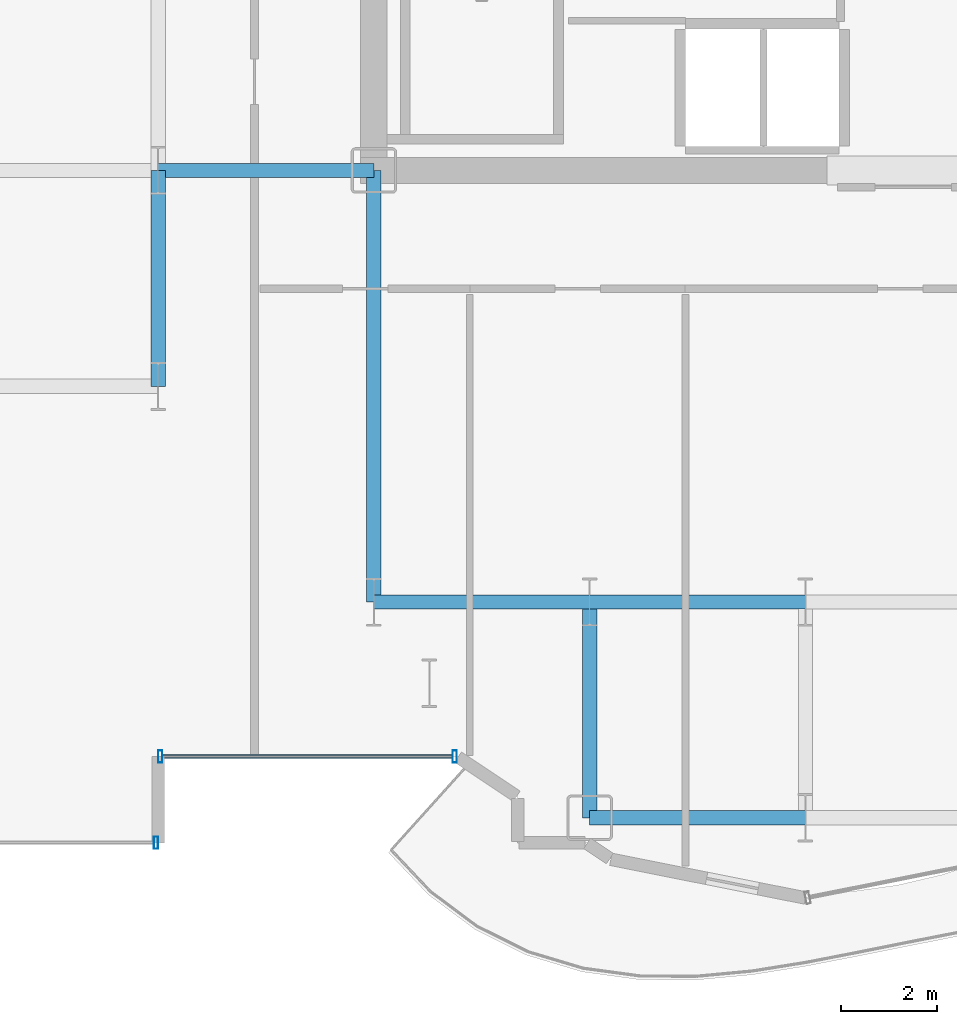
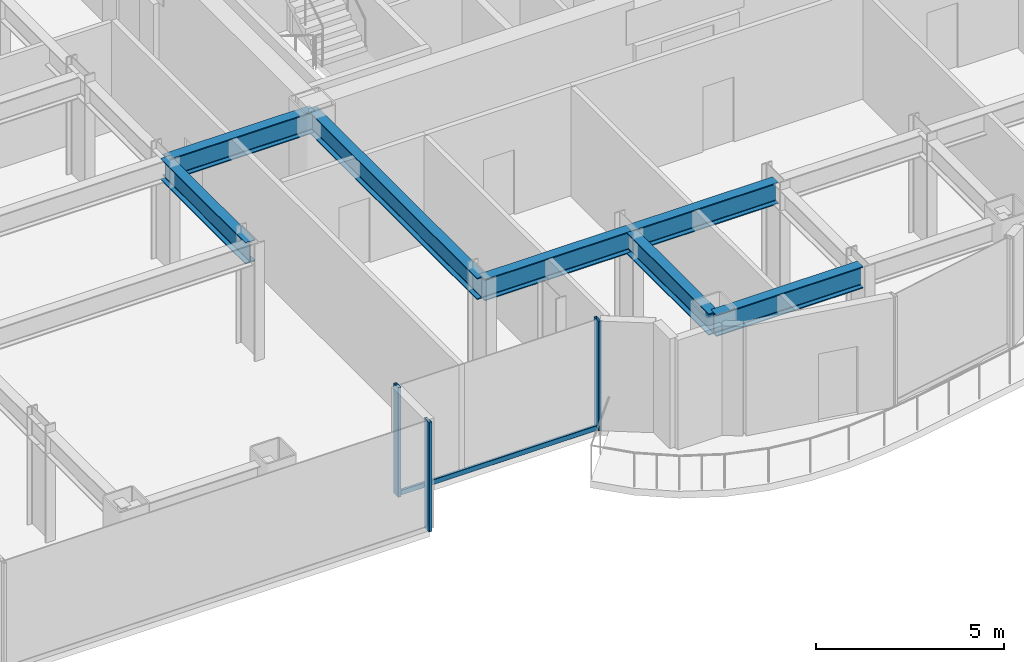
# One storey, part 4 of 28: 7 beams, 4 members, 2 elements without a shape of their own.
"""IFC4 building model written with IfcOpenShell, lengths in metres."""

from ifc_helpers import new_model, si_unit, direction, frame, origin, origin_2d, place, context, subcontext, project, spatial, hollow_rectangle, i_section, extrude, source, transform, mapped, material, layer, layer_set, material_profile, profile_set, type_object, element, aggregate, save


model = new_model("IFC4")

# Units and contexts
model_context = context("Model", 3, precision=1e-05, world=origin(), true_north=direction((0.0, 1.0)))
body_context = subcontext(model_context, "Body", "Model", "MODEL_VIEW")
ifc_project = project(units=[si_unit("LENGTHUNIT", "METRE"), si_unit("AREAUNIT", "SQUARE_METRE"), si_unit("VOLUMEUNIT", "CUBIC_METRE"), si_unit("PLANEANGLEUNIT", "RADIAN"), si_unit("MASSUNIT", "GRAM", prefix="KILO")], contexts=[model_context])

# Site, building, storey
site_placement = place(None, origin())
site = spatial("IfcSite", under=ifc_project, at=site_placement, CompositionType="ELEMENT")
building_placement = place(site_placement, origin())
building = spatial("IfcBuilding", under=site, at=building_placement, Name="Nefas-Gora Pilgrimage Tower", CompositionType="ELEMENT")
storey_placement = place(building_placement, frame((0.0, 0.0, 102.199951171875)))
storey = spatial("IfcBuildingStorey", under=building, at=storey_placement, Name="L24", CompositionType="ELEMENT", Elevation=102.199951171875)

# Beams
ifc_material_1 = material(Name="Steel S355", Category="steel")
ifc_material_profile_1 = material_profile(ifc_material_1, i_section(OverallWidth=0.300048828125, OverallDepth=0.699951171875, WebThickness=0.01708984375, FlangeThickness=0.031982421875, FilletRadius=0.027099609375, at=origin_2d()), Name="HEB 700")
ifc_profile_set_1 = profile_set([ifc_material_profile_1], Name="Steel S355")
beam_type = type_object("IfcBeamType", Name="BM-GIR-HEB700", PredefinedType="BEAM", material=ifc_profile_set_1)
shared_shape_1 = source(origin(), body_context, "Body", "SweptSolid", [
    extrude(i_section(OverallWidth=0.300048828125, OverallDepth=0.699951171875, WebThickness=0.01708984375, FlangeThickness=0.031982421875, FilletRadius=0.027099609375, at=origin_2d()), origin(), (0.0, 0.0, 1.0), 9.0),
])
beam_placement = place(storey_placement, frame((-11.25, -18.0, 3.199951171875), z_axis=(0.0, 1.0, 0.0), x_axis=(-1.0, 0.0, 0.0)))
element("IfcBeam", 1, at=beam_placement, inside=storey, type_object=beam_type, Name="L24 G-02 beam", PredefinedType="BEAM", context=body_context, shape_type="MappedRepresentation", body=[
    mapped(shared_shape_1, transform((0.0, 0.0, 0.0), x_axis=(1.0, 0.0, 0.0), y_axis=(0.0, 1.0, 0.0), z_axis=(0.0, 0.0, 1.0), scale=1.0)),
])
shared_shape_2 = source(origin(), body_context, "Body", "SweptSolid", [
    extrude(i_section(OverallWidth=0.300048828125, OverallDepth=0.699951171875, WebThickness=0.01708984375, FlangeThickness=0.031982421875, FilletRadius=0.027099609375, at=origin_2d()), origin(), (0.0, 0.0, 1.0), 4.5),
])
for number, where, z_axis, x_axis, name in (
    (2, (-15.75, -13.5, 3.199951171875), (0.0, 1.0, 0.0), (-1.0, 0.0, 0.0), "L24 G-02 beam"),
    (3, (-15.75, -9.0, 3.199951171875), (1.0, 0.0, 0.0), (0.0, 1.0, 0.0), "L24 G-02 beam"),
    (4, (-11.25, -18.0, 3.199951171875), (1.0, 0.0, 0.0), (0.0, 1.0, 0.0), "L24 G-02 beam"),
    (5, (-6.75, -22.5, 3.199951171875), (0.0, 1.0, 0.0), (-1.0, 0.0, 0.0), "L24 G-02 beam"),
    (6, (-6.75, -22.5, 3.199951171875), (1.0, 0.0, 0.0), (0.0, 1.0, 0.0), "L24 G-02 beam"),
    (7, (-6.75, -18.0, 3.199951171875), (1.0, 0.0, 0.0), (0.0, 1.0, 0.0), "L24 G-02 beam"),
):
    element("IfcBeam", number, at=place(storey_placement, frame(where, z_axis=z_axis, x_axis=x_axis)), inside=storey, type_object=beam_type, Name=name, PredefinedType="BEAM", context=body_context, shape_type="MappedRepresentation", body=[
        mapped(shared_shape_2, transform((0.0, 0.0, 0.0), x_axis=(1.0, 0.0, 0.0), y_axis=(0.0, 1.0, 0.0), z_axis=(0.0, 0.0, 1.0), scale=1.0)),
    ])

# Curtain wall, members
ifc_material_2 = material(Name="Dark ceramic-fritted solar-control aluminium-glass curtain wall", Category="aluminium")
ifc_layer_1 = layer(ifc_material_2, 0.219970703125)
ifc_layer_set_1 = layer_set([ifc_layer_1], Name="Dark ceramic-fritted solar-control aluminium-glass curtain wall")
curtain_wall_type_1 = type_object("IfcCurtainWallType", Name="CW-SYS-5", PredefinedType="NOTDEFINED", material=ifc_layer_set_1)
curtain_wall_1_placement = place(storey_placement, origin())
curtain_wall_1 = element("IfcCurtainWall", 8, at=curtain_wall_1_placement, inside=storey, type_object=curtain_wall_type_1, Name="L24 Unitised Curtain Wall CW5", PredefinedType="NOTDEFINED")
ifc_material_3 = material(Name="Anodised architectural aluminium", Category="aluminium")
ifc_material_profile_2 = material_profile(ifc_material_3, hollow_rectangle(XDim=0.090087890625, YDim=0.260009765625, WallThickness=0.006103515625, InnerFilletRadius=0.006103515625, OuterFilletRadius=0.011962890625, at=origin_2d()), Name="ALU MULLION 90x260")
ifc_profile_set_2 = profile_set([ifc_material_profile_2], Name="Anodised architectural aluminium")
member_type_1 = type_object("IfcMemberType", Name="CWM-MUL-5", PredefinedType="MULLION", material=ifc_profile_set_2)
shared_shape_3 = source(origin(), body_context, "Body", "SweptSolid", [
    extrude(hollow_rectangle(XDim=0.090087890625, YDim=0.260009765625, WallThickness=0.006103515625, InnerFilletRadius=0.006103515625, OuterFilletRadius=0.011962890625, at=origin_2d()), origin(), (0.0, 0.0, 1.0), 3.550048828125),
])
member_1_placement = place(storey_placement, frame((-15.705078125, -21.219970703125, 0.0), z_axis=(0.0, 0.0, 1.0), x_axis=(1.0, 0.0, 0.0)))
member_1 = element("IfcMember", 9, at=member_1_placement, type_object=member_type_1, Name="CW5 Mullion 1", PredefinedType="MULLION", context=body_context, shape_type="MappedRepresentation", body=[
    mapped(shared_shape_3, transform((0.0, 0.0, 0.0), x_axis=(1.0, 0.0, 0.0), y_axis=(0.0, 1.0, 0.0), z_axis=(0.0, 0.0, 1.0), scale=1.0)),
])
member_2_placement = place(storey_placement, frame((-9.56298828125, -21.219970703125, 0.0), z_axis=(0.0, 0.0, 1.0), x_axis=(1.0, 0.0, 0.0)))
member_2 = element("IfcMember", 10, at=member_2_placement, type_object=member_type_1, Name="CW5 Mullion 2", PredefinedType="MULLION", context=body_context, shape_type="MappedRepresentation", body=[
    mapped(shared_shape_3, transform((0.0, 0.0, 0.0), x_axis=(1.0, 0.0, 0.0), y_axis=(0.0, 1.0, 0.0), z_axis=(0.0, 0.0, 1.0), scale=1.0)),
])
ifc_material_profile_3 = material_profile(ifc_material_3, hollow_rectangle(XDim=0.080078125, YDim=0.159912109375, WallThickness=0.00439453125, InnerFilletRadius=0.00439453125, OuterFilletRadius=0.009033203125, at=origin_2d()), Name="ALU TRANSOM 80x160")
ifc_profile_set_3 = profile_set([ifc_material_profile_3], Name="Anodised architectural aluminium")
member_type_2 = type_object("IfcMemberType", Name="CWM-TRN-5", PredefinedType="USERDEFINED", material=ifc_profile_set_3)
shared_shape_4 = source(origin(), body_context, "Body", "SweptSolid", [
    extrude(hollow_rectangle(XDim=0.080078125, YDim=0.159912109375, WallThickness=0.00439453125, InnerFilletRadius=0.00439453125, OuterFilletRadius=0.009033203125, at=origin_2d()), origin(), (0.0, 0.0, 1.0), 6.052001953125),
])
member_3_placement = place(storey_placement, frame((-15.659912109375, -21.219970703125, 0.050048828125), z_axis=(1.0, 0.0, 0.0), x_axis=(0.0, 1.0, 0.0)))
member_3 = element("IfcMember", 11, at=member_3_placement, type_object=member_type_2, Name="CW5 Spandrel Transom", ObjectType="TRANSOM", PredefinedType="USERDEFINED", context=body_context, shape_type="MappedRepresentation", body=[
    mapped(shared_shape_4, transform((0.0, 0.0, 0.0), x_axis=(1.0, 0.0, 0.0), y_axis=(0.0, 1.0, 0.0), z_axis=(0.0, 0.0, 1.0), scale=1.0)),
])
aggregate(curtain_wall_1, [member_1, member_2, member_3])

# Curtain wall, member
ifc_layer_2 = layer(ifc_material_2, 0.219970703125)
ifc_layer_set_2 = layer_set([ifc_layer_2], Name="Dark ceramic-fritted solar-control aluminium-glass curtain wall")
curtain_wall_type_2 = type_object("IfcCurtainWallType", Name="CW-SYS-2", PredefinedType="NOTDEFINED", material=ifc_layer_set_2)
curtain_wall_2_placement = place(storey_placement, origin())
curtain_wall_2 = element("IfcCurtainWall", 12, at=curtain_wall_2_placement, inside=storey, type_object=curtain_wall_type_2, Name="L24 Unitised Curtain Wall CW2", PredefinedType="NOTDEFINED")
ifc_material_profile_4 = material_profile(ifc_material_3, hollow_rectangle(XDim=0.090087890625, YDim=0.260009765625, WallThickness=0.006103515625, InnerFilletRadius=0.006103515625, OuterFilletRadius=0.011962890625, at=origin_2d()), Name="ALU MULLION 90x260")
ifc_profile_set_4 = profile_set([ifc_material_profile_4], Name="Anodised architectural aluminium")
member_type_3 = type_object("IfcMemberType", Name="CWM-MUL-2", PredefinedType="MULLION", material=ifc_profile_set_4)
shared_shape_5 = source(origin(), body_context, "Body", "SweptSolid", [
    extrude(hollow_rectangle(XDim=0.090087890625, YDim=0.260009765625, WallThickness=0.006103515625, InnerFilletRadius=0.006103515625, OuterFilletRadius=0.011962890625, at=origin_2d()), origin(), (0.0, 0.0, 1.0), 3.550048828125),
])
member_4_placement = place(storey_placement, frame((-15.794921875, -23.02001953125, 0.0), z_axis=(0.0, 0.0, 1.0), x_axis=(1.0, 0.0, 0.0)))
member_4 = element("IfcMember", 13, at=member_4_placement, type_object=member_type_3, Name="CW2 Mullion 2", PredefinedType="MULLION", context=body_context, shape_type="MappedRepresentation", body=[
    mapped(shared_shape_5, transform((0.0, 0.0, 0.0), x_axis=(1.0, 0.0, 0.0), y_axis=(0.0, 1.0, 0.0), z_axis=(0.0, 0.0, 1.0), scale=1.0)),
])
aggregate(curtain_wall_2, [member_4])

save(model, "model.ifc")
